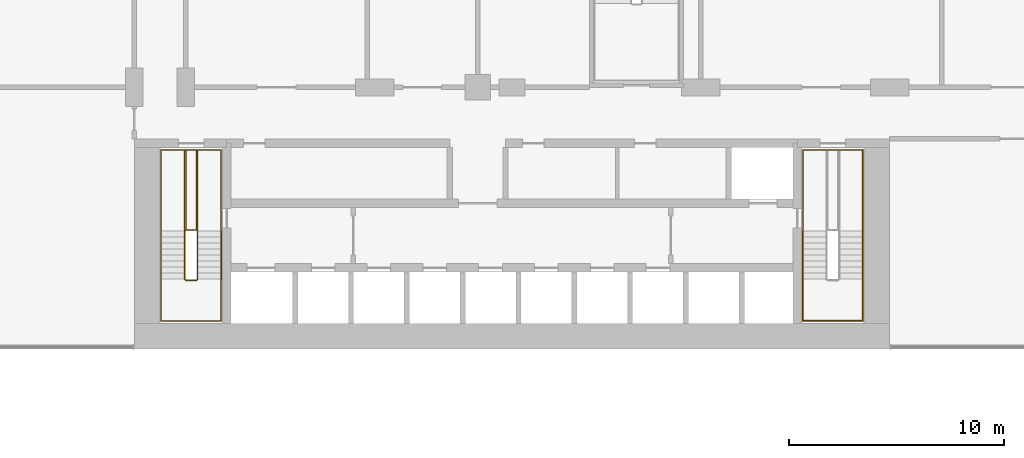
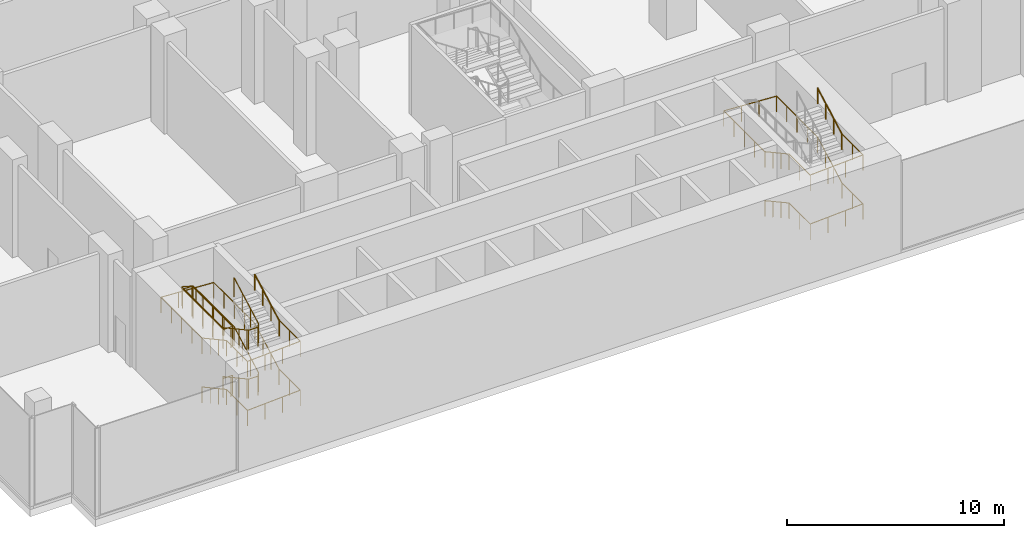
# One storey, part 25 of 30: 7 railings.
"""IFC4 building model written with IfcOpenShell, lengths in metres."""

from ifc_helpers import new_model, si_unit, direction, frame, origin, origin_2d, place, context, subcontext, project, spatial, circle, extrude, material, type_object, element, save


model = new_model("IFC4")

# Units and contexts
model_context = context("Model", 3, precision=1e-05, world=origin(), true_north=direction((0.0, 1.0)))
body_context = subcontext(model_context, "Body", "Model", "MODEL_VIEW")
ifc_project = project(units=[si_unit("LENGTHUNIT", "METRE"), si_unit("AREAUNIT", "SQUARE_METRE"), si_unit("VOLUMEUNIT", "CUBIC_METRE"), si_unit("PLANEANGLEUNIT", "RADIAN"), si_unit("MASSUNIT", "GRAM", prefix="KILO")], contexts=[model_context])

# Site, building, storey
site_placement = place(None, origin())
site = spatial("IfcSite", under=ifc_project, at=site_placement, CompositionType="ELEMENT")
building_placement = place(site_placement, origin())
building = spatial("IfcBuilding", under=site, at=building_placement, Name="Kemantara Hotel Tower", CompositionType="ELEMENT")
storey_placement = place(building_placement, frame((0.0, 0.0, 7.5)))
storey = spatial("IfcBuildingStorey", under=building, at=storey_placement, Name="L01", CompositionType="ELEMENT", Elevation=7.5)

# Railings
ifc_material = material(Name="Stainless steel balustrade", Category="steel")
railing_type_1 = type_object("IfcRailingType", Name="Stair guard 1100 mm", PredefinedType="GUARDRAIL", material=ifc_material)
railing_1_placement = place(storey_placement, frame((12.75, 5.5, 5.5)))
element("IfcRailing", 1, at=railing_1_placement, inside=storey, type_object=railing_type_1, Name="L01 ST1 stair guard 1", PredefinedType="GUARDRAIL", context=body_context, shape_type="SweptSolid", body=[
    extrude(circle(Radius=0.02392578125, at=origin_2d()), frame((0.0, 0.0, 1.076171875), z_axis=(0.0, -0.87783706319, -0.478959382924), x_axis=(1.0, 0.0, 0.0)), (0.0, 0.0, 1.0), 2.5517578125),
    extrude(circle(Radius=0.02392578125, at=origin_2d()), frame((0.0, -2.239990234375, -0.14599609375), z_axis=(-0.297155754911, -0.297155754911, -0.90741220768), x_axis=(0.707106781187, -0.707106781187, 0.0)), (0.0, 0.0, 1.0), 0.16845703125),
    extrude(circle(Radius=0.02392578125, at=origin_2d()), frame((-0.050048828125, -2.2900390625, -0.298828125), z_axis=(-1.0, 0.0, 0.0), x_axis=(0.0, -1.0, 0.0)), (0.0, 0.0, 1.0), 0.5),
    extrude(circle(Radius=0.02392578125, at=origin_2d()), frame((-0.550048828125, -2.2900390625, -0.298828125), z_axis=(-0.707106781187, 0.707106781187, 0.0), x_axis=(-0.707106781187, -0.707106781187, 0.0)), (0.0, 0.0, 1.0), 0.07080078125),
    extrude(circle(Radius=0.02392578125, at=origin_2d()), frame((-0.60009765625, -2.239990234375, -0.298828125), z_axis=(0.0, 0.87783706319, -0.478959382924), x_axis=(-1.0, 0.0, 0.0)), (0.0, 0.0, 1.0), 2.5517578125),
    extrude(circle(Radius=0.02392578125, at=origin_2d()), frame((-0.60009765625, 0.0, -1.52099609375), z_axis=(0.0, 1.0, 0.0), x_axis=(-1.0, 0.0, 0.0)), (0.0, 0.0, 1.0), 3.780029296875),
    extrude(circle(Radius=0.02392578125, at=origin_2d()), frame((-0.60009765625, 3.780029296875, -1.52099609375), z_axis=(0.963499526908, 0.0, -0.267710032776), x_axis=(0.0, 1.0, 0.0)), (0.0, 0.0, 1.0), 0.57080078125),
    extrude(circle(Radius=0.02392578125, at=origin_2d()), frame((-0.050048828125, 3.780029296875, -1.673828125), z_axis=(0.0, -1.0, 0.0), x_axis=(1.0, 0.0, 0.0)), (0.0, 0.0, 1.0), 3.72998046875),
    extrude(circle(Radius=0.02392578125, at=origin_2d()), frame((-0.050048828125, 0.050048828125, -1.673828125), z_axis=(-1.0, 0.0, 0.0), x_axis=(0.0, -1.0, 0.0)), (0.0, 0.0, 1.0), 0.5),
    extrude(circle(Radius=0.02392578125, at=origin_2d()), frame((-0.550048828125, 0.050048828125, -1.673828125), z_axis=(0.0, 1.0, 0.0), x_axis=(-1.0, 0.0, 0.0)), (0.0, 0.0, 1.0), 3.72998046875),
    extrude(circle(Radius=0.02392578125, at=origin_2d()), frame((-0.550048828125, 3.780029296875, -1.673828125), z_axis=(1.0, 0.0, 0.0), x_axis=(0.0, 1.0, 0.0)), (0.0, 0.0, 1.0), 0.550048828125),
    extrude(circle(Radius=0.02392578125, at=origin_2d()), frame((0.0, 3.780029296875, -1.673828125), z_axis=(0.0, -1.0, 0.0), x_axis=(1.0, 0.0, 0.0)), (0.0, 0.0, 1.0), 3.780029296875),
    extrude(circle(Radius=0.02392578125, at=origin_2d()), frame((0.0, 0.0, -1.673828125), z_axis=(0.0, -0.87783706319, -0.478959382924), x_axis=(1.0, 0.0, 0.0)), (0.0, 0.0, 1.0), 2.5517578125),
    extrude(circle(Radius=0.02392578125, at=origin_2d()), frame((0.0, -2.239990234375, -2.89599609375), z_axis=(-0.297155754911, -0.297155754911, -0.90741220768), x_axis=(0.707106781187, -0.707106781187, 0.0)), (0.0, 0.0, 1.0), 0.16845703125),
    extrude(circle(Radius=0.02392578125, at=origin_2d()), frame((-0.050048828125, -2.2900390625, -3.048828125), z_axis=(-1.0, 0.0, 0.0), x_axis=(0.0, -1.0, 0.0)), (0.0, 0.0, 1.0), 0.5),
    extrude(circle(Radius=0.02392578125, at=origin_2d()), frame((-0.550048828125, -2.2900390625, -3.048828125), z_axis=(-0.707106781187, 0.707106781187, 0.0), x_axis=(-0.707106781187, -0.707106781187, 0.0)), (0.0, 0.0, 1.0), 0.07080078125),
    extrude(circle(Radius=0.02392578125, at=origin_2d()), frame((-0.60009765625, -2.239990234375, -3.048828125), z_axis=(0.0, 0.87783706319, -0.478959382924), x_axis=(-1.0, 0.0, 0.0)), (0.0, 0.0, 1.0), 2.5517578125),
    extrude(circle(Radius=0.02392578125, at=origin_2d()), frame((-0.60009765625, 0.0, -4.27099609375), z_axis=(0.297155754911, 0.297155754911, -0.90741220768), x_axis=(-0.707106781187, 0.707106781187, 0.0)), (0.0, 0.0, 1.0), 0.16845703125),
    extrude(circle(Radius=0.02392578125, at=origin_2d()), frame((-0.550048828125, 0.050048828125, -4.423828125), z_axis=(1.0, 0.0, 0.0), x_axis=(0.0, 1.0, 0.0)), (0.0, 0.0, 1.0), 0.5),
    extrude(circle(Radius=0.02099609375, at=origin_2d()), origin(), (0.0, 0.0, 1.0), 1.052001953125),
    extrude(circle(Radius=0.02099609375, at=origin_2d()), frame((0.0, -0.74658203125, -0.407470703125)), (0.0, 0.0, 1.0), 1.052001953125),
    extrude(circle(Radius=0.02099609375, at=origin_2d()), frame((0.0, -1.493408203125, -0.814697265625)), (0.0, 0.0, 1.0), 1.052001953125),
    extrude(circle(Radius=0.02099609375, at=origin_2d()), frame((0.0, -2.239990234375, -1.22216796875)), (0.0, 0.0, 1.0), 1.052001953125),
    extrude(circle(Radius=0.02099609375, at=origin_2d()), frame((-0.050048828125, -2.2900390625, -1.375)), (0.0, 0.0, 1.0), 1.052001953125),
    extrude(circle(Radius=0.02099609375, at=origin_2d()), frame((-0.550048828125, -2.2900390625, -1.375)), (0.0, 0.0, 1.0), 1.052001953125),
    extrude(circle(Radius=0.02099609375, at=origin_2d()), frame((-0.60009765625, -2.239990234375, -1.375)), (0.0, 0.0, 1.0), 1.052001953125),
    extrude(circle(Radius=0.02099609375, at=origin_2d()), frame((-0.60009765625, -1.493408203125, -1.782470703125)), (0.0, 0.0, 1.0), 1.052001953125),
    extrude(circle(Radius=0.02099609375, at=origin_2d()), frame((-0.60009765625, -0.74658203125, -2.189697265625)), (0.0, 0.0, 1.0), 1.052001953125),
    extrude(circle(Radius=0.02099609375, at=origin_2d()), frame((-0.60009765625, 0.0, -2.59716796875)), (0.0, 0.0, 1.0), 1.052001953125),
    extrude(circle(Radius=0.02099609375, at=origin_2d()), frame((-0.60009765625, 0.945068359375, -2.59716796875)), (0.0, 0.0, 1.0), 1.052001953125),
    extrude(circle(Radius=0.02099609375, at=origin_2d()), frame((-0.60009765625, 1.89013671875, -2.59716796875)), (0.0, 0.0, 1.0), 1.052001953125),
    extrude(circle(Radius=0.02099609375, at=origin_2d()), frame((-0.60009765625, 2.8349609375, -2.59716796875)), (0.0, 0.0, 1.0), 1.052001953125),
    extrude(circle(Radius=0.02099609375, at=origin_2d()), frame((-0.60009765625, 3.780029296875, -2.59716796875)), (0.0, 0.0, 1.0), 1.052001953125),
    extrude(circle(Radius=0.02099609375, at=origin_2d()), frame((-0.050048828125, 3.780029296875, -2.75)), (0.0, 0.0, 1.0), 1.052001953125),
    extrude(circle(Radius=0.02099609375, at=origin_2d()), frame((-0.050048828125, 2.84765625, -2.75)), (0.0, 0.0, 1.0), 1.052001953125),
    extrude(circle(Radius=0.02099609375, at=origin_2d()), frame((-0.050048828125, 1.9150390625, -2.75)), (0.0, 0.0, 1.0), 1.052001953125),
    extrude(circle(Radius=0.02099609375, at=origin_2d()), frame((-0.050048828125, 0.982421875, -2.75)), (0.0, 0.0, 1.0), 1.052001953125),
    extrude(circle(Radius=0.02099609375, at=origin_2d()), frame((-0.050048828125, 0.050048828125, -2.75)), (0.0, 0.0, 1.0), 1.052001953125),
    extrude(circle(Radius=0.02099609375, at=origin_2d()), frame((-0.550048828125, 0.050048828125, -2.75)), (0.0, 0.0, 1.0), 1.052001953125),
    extrude(circle(Radius=0.02099609375, at=origin_2d()), frame((-0.550048828125, 0.982421875, -2.75)), (0.0, 0.0, 1.0), 1.052001953125),
    extrude(circle(Radius=0.02099609375, at=origin_2d()), frame((-0.550048828125, 1.9150390625, -2.75)), (0.0, 0.0, 1.0), 1.052001953125),
    extrude(circle(Radius=0.02099609375, at=origin_2d()), frame((-0.550048828125, 2.84765625, -2.75)), (0.0, 0.0, 1.0), 1.052001953125),
    extrude(circle(Radius=0.02099609375, at=origin_2d()), frame((-0.550048828125, 3.780029296875, -2.75)), (0.0, 0.0, 1.0), 1.052001953125),
    extrude(circle(Radius=0.02099609375, at=origin_2d()), frame((0.0, 3.780029296875, -2.75)), (0.0, 0.0, 1.0), 1.052001953125),
    extrude(circle(Radius=0.02099609375, at=origin_2d()), frame((0.0, 2.8349609375, -2.75)), (0.0, 0.0, 1.0), 1.052001953125),
    extrude(circle(Radius=0.02099609375, at=origin_2d()), frame((0.0, 1.89013671875, -2.75)), (0.0, 0.0, 1.0), 1.052001953125),
    extrude(circle(Radius=0.02099609375, at=origin_2d()), frame((0.0, 0.945068359375, -2.75)), (0.0, 0.0, 1.0), 1.052001953125),
    extrude(circle(Radius=0.02099609375, at=origin_2d()), frame((0.0, 0.0, -2.75)), (0.0, 0.0, 1.0), 1.052001953125),
    extrude(circle(Radius=0.02099609375, at=origin_2d()), frame((0.0, -0.74658203125, -3.157470703125)), (0.0, 0.0, 1.0), 1.052001953125),
    extrude(circle(Radius=0.02099609375, at=origin_2d()), frame((0.0, -1.493408203125, -3.564697265625)), (0.0, 0.0, 1.0), 1.052001953125),
    extrude(circle(Radius=0.02099609375, at=origin_2d()), frame((0.0, -2.239990234375, -3.97216796875)), (0.0, 0.0, 1.0), 1.052001953125),
    extrude(circle(Radius=0.02099609375, at=origin_2d()), frame((-0.050048828125, -2.2900390625, -4.125)), (0.0, 0.0, 1.0), 1.052001953125),
    extrude(circle(Radius=0.02099609375, at=origin_2d()), frame((-0.550048828125, -2.2900390625, -4.125)), (0.0, 0.0, 1.0), 1.052001953125),
    extrude(circle(Radius=0.02099609375, at=origin_2d()), frame((-0.60009765625, -2.239990234375, -4.125)), (0.0, 0.0, 1.0), 1.052001953125),
    extrude(circle(Radius=0.02099609375, at=origin_2d()), frame((-0.60009765625, -1.493408203125, -4.532470703125)), (0.0, 0.0, 1.0), 1.052001953125),
    extrude(circle(Radius=0.02099609375, at=origin_2d()), frame((-0.60009765625, -0.74658203125, -4.939697265625)), (0.0, 0.0, 1.0), 1.052001953125),
    extrude(circle(Radius=0.02099609375, at=origin_2d()), frame((-0.60009765625, 0.0, -5.34716796875)), (0.0, 0.0, 1.0), 1.052001953125),
    extrude(circle(Radius=0.02099609375, at=origin_2d()), frame((-0.550048828125, 0.050048828125, -5.5)), (0.0, 0.0, 1.0), 1.052001953125),
    extrude(circle(Radius=0.02099609375, at=origin_2d()), frame((-0.050048828125, 0.050048828125, -5.5)), (0.0, 0.0, 1.0), 1.052001953125),
])
railing_type_2 = type_object("IfcRailingType", Name="Stair handrail 900 mm", PredefinedType="HANDRAIL", material=ifc_material)
railing_2_placement = place(storey_placement, frame((11.050048828125, 5.5, 0.15283203125)))
element("IfcRailing", 2, at=railing_2_placement, inside=storey, type_object=railing_type_2, Name="L01 ST1 stair handrail 1", PredefinedType="HANDRAIL", context=body_context, shape_type="SweptSolid", body=[
    extrude(circle(Radius=0.02392578125, at=origin_2d()), frame((0.0, 0.0, 0.8759765625), z_axis=(0.0, -0.87783706319, 0.478959382924), x_axis=(1.0, 0.0, 0.0)), (0.0, 0.0, 1.0), 2.5517578125),
    extrude(circle(Radius=0.02392578125, at=origin_2d()), frame((0.0, -2.239990234375, 2.09814453125), z_axis=(0.0, -1.0, 0.0), x_axis=(1.0, 0.0, 0.0)), (0.0, 0.0, 1.0), 1.93994140625),
    extrude(circle(Radius=0.02392578125, at=origin_2d()), frame((0.0, -4.179931640625, 2.09814453125), z_axis=(0.998513727286, 0.0, 0.054500792857), x_axis=(0.0, 1.0, 0.0)), (0.0, 0.0, 1.0), 2.80419921875),
    extrude(circle(Radius=0.02392578125, at=origin_2d()), frame((2.800048828125, -4.179931640625, 2.2509765625), z_axis=(0.0, 1.0, 0.0), x_axis=(-1.0, 0.0, 0.0)), (0.0, 0.0, 1.0), 1.93994140625),
    extrude(circle(Radius=0.02392578125, at=origin_2d()), frame((2.800048828125, -2.239990234375, 2.2509765625), z_axis=(0.0, 0.87783706319, 0.478959382924), x_axis=(-1.0, 0.0, 0.0)), (0.0, 0.0, 1.0), 2.5517578125),
    extrude(circle(Radius=0.02099609375, at=origin_2d()), origin(), (0.0, 0.0, 1.0), 0.851806640625),
    extrude(circle(Radius=0.02099609375, at=origin_2d()), frame((0.0, -0.74658203125, 0.407470703125)), (0.0, 0.0, 1.0), 0.851806640625),
    extrude(circle(Radius=0.02099609375, at=origin_2d()), frame((0.0, -1.493408203125, 0.814697265625)), (0.0, 0.0, 1.0), 0.851806640625),
    extrude(circle(Radius=0.02099609375, at=origin_2d()), frame((0.0, -2.239990234375, 1.22216796875)), (0.0, 0.0, 1.0), 0.851806640625),
    extrude(circle(Radius=0.02099609375, at=origin_2d()), frame((0.0, -3.2099609375, 1.22216796875)), (0.0, 0.0, 1.0), 0.851806640625),
    extrude(circle(Radius=0.02099609375, at=origin_2d()), frame((0.0, -4.179931640625, 1.22216796875)), (0.0, 0.0, 1.0), 0.851806640625),
    extrude(circle(Radius=0.02099609375, at=origin_2d()), frame((0.933349609375, -4.179931640625, 1.273193359375)), (0.0, 0.0, 1.0), 0.851806640625),
    extrude(circle(Radius=0.02099609375, at=origin_2d()), frame((1.86669921875, -4.179931640625, 1.323974609375)), (0.0, 0.0, 1.0), 0.851806640625),
    extrude(circle(Radius=0.02099609375, at=origin_2d()), frame((2.800048828125, -4.179931640625, 1.375)), (0.0, 0.0, 1.0), 0.851806640625),
    extrude(circle(Radius=0.02099609375, at=origin_2d()), frame((2.800048828125, -3.2099609375, 1.375)), (0.0, 0.0, 1.0), 0.851806640625),
    extrude(circle(Radius=0.02099609375, at=origin_2d()), frame((2.800048828125, -2.239990234375, 1.375)), (0.0, 0.0, 1.0), 0.851806640625),
    extrude(circle(Radius=0.02099609375, at=origin_2d()), frame((2.800048828125, -1.493408203125, 1.782470703125)), (0.0, 0.0, 1.0), 0.851806640625),
    extrude(circle(Radius=0.02099609375, at=origin_2d()), frame((2.800048828125, -0.74658203125, 2.189697265625)), (0.0, 0.0, 1.0), 0.851806640625),
    extrude(circle(Radius=0.02099609375, at=origin_2d()), frame((2.800048828125, 0.0, 2.59716796875)), (0.0, 0.0, 1.0), 0.851806640625),
])
railing_3_placement = place(storey_placement, frame((13.85009765625, 5.5, 2.75)))
element("IfcRailing", 3, at=railing_3_placement, inside=storey, type_object=railing_type_2, Name="L01 ST1 stair handrail 2", PredefinedType="HANDRAIL", context=body_context, shape_type="SweptSolid", body=[
    extrude(circle(Radius=0.02392578125, at=origin_2d()), frame((0.0, 0.0, 0.8759765625), z_axis=(0.0, 1.0, 0.0), x_axis=(-1.0, 0.0, 0.0)), (0.0, 0.0, 1.0), 3.780029296875),
    extrude(circle(Radius=0.02392578125, at=origin_2d()), frame((0.0, 3.780029296875, 0.8759765625), z_axis=(-0.998513727286, 0.0, 0.054500792857), x_axis=(0.0, -1.0, 0.0)), (0.0, 0.0, 1.0), 2.80419921875),
    extrude(circle(Radius=0.02392578125, at=origin_2d()), frame((-2.800048828125, 3.780029296875, 1.02880859375), z_axis=(0.0, -1.0, 0.0), x_axis=(1.0, 0.0, 0.0)), (0.0, 0.0, 1.0), 3.780029296875),
    extrude(circle(Radius=0.02392578125, at=origin_2d()), frame((-2.800048828125, 0.0, 1.02880859375), z_axis=(0.0, -0.87783706319, 0.478959382924), x_axis=(1.0, 0.0, 0.0)), (0.0, 0.0, 1.0), 2.5517578125),
    extrude(circle(Radius=0.02392578125, at=origin_2d()), frame((-2.800048828125, -2.239990234375, 2.2509765625), z_axis=(0.0, -1.0, 0.0), x_axis=(1.0, 0.0, 0.0)), (0.0, 0.0, 1.0), 1.93994140625),
    extrude(circle(Radius=0.02392578125, at=origin_2d()), frame((-2.800048828125, -4.179931640625, 2.2509765625), z_axis=(0.998513727286, 0.0, 0.054500792857), x_axis=(0.0, 1.0, 0.0)), (0.0, 0.0, 1.0), 2.80419921875),
    extrude(circle(Radius=0.02392578125, at=origin_2d()), frame((0.0, -4.179931640625, 2.40380859375), z_axis=(0.0, 1.0, 0.0), x_axis=(-1.0, 0.0, 0.0)), (0.0, 0.0, 1.0), 1.93994140625),
    extrude(circle(Radius=0.02099609375, at=origin_2d()), origin(), (0.0, 0.0, 1.0), 0.851806640625),
    extrude(circle(Radius=0.02099609375, at=origin_2d()), frame((0.0, 0.945068359375, 0.0)), (0.0, 0.0, 1.0), 0.851806640625),
    extrude(circle(Radius=0.02099609375, at=origin_2d()), frame((0.0, 1.89013671875, 0.0)), (0.0, 0.0, 1.0), 0.851806640625),
    extrude(circle(Radius=0.02099609375, at=origin_2d()), frame((0.0, 2.8349609375, 0.0)), (0.0, 0.0, 1.0), 0.851806640625),
    extrude(circle(Radius=0.02099609375, at=origin_2d()), frame((0.0, 3.780029296875, 0.0)), (0.0, 0.0, 1.0), 0.851806640625),
    extrude(circle(Radius=0.02099609375, at=origin_2d()), frame((-0.933349609375, 3.780029296875, 0.051025390625)), (0.0, 0.0, 1.0), 0.851806640625),
    extrude(circle(Radius=0.02099609375, at=origin_2d()), frame((-1.86669921875, 3.780029296875, 0.101806640625)), (0.0, 0.0, 1.0), 0.851806640625),
    extrude(circle(Radius=0.02099609375, at=origin_2d()), frame((-2.800048828125, 3.780029296875, 0.15283203125)), (0.0, 0.0, 1.0), 0.851806640625),
    extrude(circle(Radius=0.02099609375, at=origin_2d()), frame((-2.800048828125, 2.8349609375, 0.15283203125)), (0.0, 0.0, 1.0), 0.851806640625),
    extrude(circle(Radius=0.02099609375, at=origin_2d()), frame((-2.800048828125, 1.89013671875, 0.15283203125)), (0.0, 0.0, 1.0), 0.851806640625),
    extrude(circle(Radius=0.02099609375, at=origin_2d()), frame((-2.800048828125, 0.945068359375, 0.15283203125)), (0.0, 0.0, 1.0), 0.851806640625),
    extrude(circle(Radius=0.02099609375, at=origin_2d()), frame((-2.800048828125, 0.0, 0.15283203125)), (0.0, 0.0, 1.0), 0.851806640625),
    extrude(circle(Radius=0.02099609375, at=origin_2d()), frame((-2.800048828125, -0.74658203125, 0.560302734375)), (0.0, 0.0, 1.0), 0.851806640625),
    extrude(circle(Radius=0.02099609375, at=origin_2d()), frame((-2.800048828125, -1.493408203125, 0.967529296875)), (0.0, 0.0, 1.0), 0.851806640625),
    extrude(circle(Radius=0.02099609375, at=origin_2d()), frame((-2.800048828125, -2.239990234375, 1.375)), (0.0, 0.0, 1.0), 0.851806640625),
    extrude(circle(Radius=0.02099609375, at=origin_2d()), frame((-2.800048828125, -3.2099609375, 1.375)), (0.0, 0.0, 1.0), 0.851806640625),
    extrude(circle(Radius=0.02099609375, at=origin_2d()), frame((-2.800048828125, -4.179931640625, 1.375)), (0.0, 0.0, 1.0), 0.851806640625),
    extrude(circle(Radius=0.02099609375, at=origin_2d()), frame((-1.86669921875, -4.179931640625, 1.426025390625)), (0.0, 0.0, 1.0), 0.851806640625),
    extrude(circle(Radius=0.02099609375, at=origin_2d()), frame((-0.933349609375, -4.179931640625, 1.476806640625)), (0.0, 0.0, 1.0), 0.851806640625),
    extrude(circle(Radius=0.02099609375, at=origin_2d()), frame((0.0, -4.179931640625, 1.52783203125)), (0.0, 0.0, 1.0), 0.851806640625),
    extrude(circle(Radius=0.02099609375, at=origin_2d()), frame((0.0, -3.2099609375, 1.52783203125)), (0.0, 0.0, 1.0), 0.851806640625),
    extrude(circle(Radius=0.02099609375, at=origin_2d()), frame((0.0, -2.239990234375, 1.52783203125)), (0.0, 0.0, 1.0), 0.851806640625),
])
railing_4_placement = place(storey_placement, frame((13.85009765625, 3.260009765625, 4.27783203125)))
element("IfcRailing", 4, at=railing_4_placement, inside=storey, type_object=railing_type_2, Name="L01 ST1 stair handrail 3", PredefinedType="HANDRAIL", context=body_context, shape_type="SweptSolid", body=[
    extrude(circle(Radius=0.02392578125, at=origin_2d()), frame((0.0, 0.0, 0.8759765625), z_axis=(0.0, 0.87783706319, 0.478959382924), x_axis=(-1.0, 0.0, 0.0)), (0.0, 0.0, 1.0), 2.5517578125),
    extrude(circle(Radius=0.02099609375, at=origin_2d()), origin(), (0.0, 0.0, 1.0), 0.851806640625),
    extrude(circle(Radius=0.02099609375, at=origin_2d()), frame((0.0, 0.74658203125, 0.407470703125)), (0.0, 0.0, 1.0), 0.851806640625),
    extrude(circle(Radius=0.02099609375, at=origin_2d()), frame((0.0, 1.493408203125, 0.814697265625)), (0.0, 0.0, 1.0), 0.851806640625),
    extrude(circle(Radius=0.02099609375, at=origin_2d()), frame((0.0, 2.239990234375, 1.22216796875)), (0.0, 0.0, 1.0), 0.851806640625),
])
railing_5_placement = place(storey_placement, frame((40.949951171875, 5.5, 0.15283203125)))
element("IfcRailing", 5, at=railing_5_placement, inside=storey, type_object=railing_type_2, Name="L01 ST2 stair handrail 1", PredefinedType="HANDRAIL", context=body_context, shape_type="SweptSolid", body=[
    extrude(circle(Radius=0.02392578125, at=origin_2d()), frame((0.0, 0.0, 0.8759765625), z_axis=(0.0, -0.87783706319, 0.478959382924), x_axis=(1.0, 0.0, 0.0)), (0.0, 0.0, 1.0), 2.5517578125),
    extrude(circle(Radius=0.02392578125, at=origin_2d()), frame((0.0, -2.239990234375, 2.09814453125), z_axis=(0.0, -1.0, 0.0), x_axis=(1.0, 0.0, 0.0)), (0.0, 0.0, 1.0), 1.93994140625),
    extrude(circle(Radius=0.02392578125, at=origin_2d()), frame((0.0, -4.179931640625, 2.09814453125), z_axis=(0.998513727286, 0.0, 0.054500792857), x_axis=(0.0, 1.0, 0.0)), (0.0, 0.0, 1.0), 2.80419921875),
    extrude(circle(Radius=0.02392578125, at=origin_2d()), frame((2.800048828125, -4.179931640625, 2.2509765625), z_axis=(0.0, 1.0, 0.0), x_axis=(-1.0, 0.0, 0.0)), (0.0, 0.0, 1.0), 1.93994140625),
    extrude(circle(Radius=0.02392578125, at=origin_2d()), frame((2.800048828125, -2.239990234375, 2.2509765625), z_axis=(0.0, 0.87783706319, 0.478959382924), x_axis=(-1.0, 0.0, 0.0)), (0.0, 0.0, 1.0), 2.5517578125),
    extrude(circle(Radius=0.02392578125, at=origin_2d()), frame((2.800048828125, 0.0, 3.47314453125), z_axis=(0.0, 1.0, 0.0), x_axis=(-1.0, 0.0, 0.0)), (0.0, 0.0, 1.0), 3.780029296875),
    extrude(circle(Radius=0.02099609375, at=origin_2d()), origin(), (0.0, 0.0, 1.0), 0.851806640625),
    extrude(circle(Radius=0.02099609375, at=origin_2d()), frame((0.0, -0.74658203125, 0.407470703125)), (0.0, 0.0, 1.0), 0.851806640625),
    extrude(circle(Radius=0.02099609375, at=origin_2d()), frame((0.0, -1.493408203125, 0.814697265625)), (0.0, 0.0, 1.0), 0.851806640625),
    extrude(circle(Radius=0.02099609375, at=origin_2d()), frame((0.0, -2.239990234375, 1.22216796875)), (0.0, 0.0, 1.0), 0.851806640625),
    extrude(circle(Radius=0.02099609375, at=origin_2d()), frame((0.0, -3.2099609375, 1.22216796875)), (0.0, 0.0, 1.0), 0.851806640625),
    extrude(circle(Radius=0.02099609375, at=origin_2d()), frame((0.0, -4.179931640625, 1.22216796875)), (0.0, 0.0, 1.0), 0.851806640625),
    extrude(circle(Radius=0.02099609375, at=origin_2d()), frame((0.933349609375, -4.179931640625, 1.273193359375)), (0.0, 0.0, 1.0), 0.851806640625),
    extrude(circle(Radius=0.02099609375, at=origin_2d()), frame((1.86669921875, -4.179931640625, 1.323974609375)), (0.0, 0.0, 1.0), 0.851806640625),
    extrude(circle(Radius=0.02099609375, at=origin_2d()), frame((2.800048828125, -4.179931640625, 1.375)), (0.0, 0.0, 1.0), 0.851806640625),
    extrude(circle(Radius=0.02099609375, at=origin_2d()), frame((2.800048828125, -3.2099609375, 1.375)), (0.0, 0.0, 1.0), 0.851806640625),
    extrude(circle(Radius=0.02099609375, at=origin_2d()), frame((2.800048828125, -2.239990234375, 1.375)), (0.0, 0.0, 1.0), 0.851806640625),
    extrude(circle(Radius=0.02099609375, at=origin_2d()), frame((2.800048828125, -1.493408203125, 1.782470703125)), (0.0, 0.0, 1.0), 0.851806640625),
    extrude(circle(Radius=0.02099609375, at=origin_2d()), frame((2.800048828125, -0.74658203125, 2.189697265625)), (0.0, 0.0, 1.0), 0.851806640625),
    extrude(circle(Radius=0.02099609375, at=origin_2d()), frame((2.800048828125, 0.0, 2.59716796875)), (0.0, 0.0, 1.0), 0.851806640625),
    extrude(circle(Radius=0.02099609375, at=origin_2d()), frame((2.800048828125, 0.945068359375, 2.59716796875)), (0.0, 0.0, 1.0), 0.851806640625),
    extrude(circle(Radius=0.02099609375, at=origin_2d()), frame((2.800048828125, 1.89013671875, 2.59716796875)), (0.0, 0.0, 1.0), 0.851806640625),
    extrude(circle(Radius=0.02099609375, at=origin_2d()), frame((2.800048828125, 2.8349609375, 2.59716796875)), (0.0, 0.0, 1.0), 0.851806640625),
    extrude(circle(Radius=0.02099609375, at=origin_2d()), frame((2.800048828125, 3.780029296875, 2.59716796875)), (0.0, 0.0, 1.0), 0.851806640625),
])
railing_6_placement = place(storey_placement, frame((43.75, 9.280029296875, 2.75)))
element("IfcRailing", 6, at=railing_6_placement, inside=storey, type_object=railing_type_2, Name="L01 ST2 stair handrail 2", PredefinedType="HANDRAIL", context=body_context, shape_type="SweptSolid", body=[
    extrude(circle(Radius=0.02392578125, at=origin_2d()), frame((0.0, 0.0, 0.8759765625), z_axis=(-0.998513727286, 0.0, 0.054500792857), x_axis=(0.0, -1.0, 0.0)), (0.0, 0.0, 1.0), 2.80419921875),
    extrude(circle(Radius=0.02392578125, at=origin_2d()), frame((-2.800048828125, 0.0, 1.02880859375), z_axis=(0.0, -1.0, 0.0), x_axis=(1.0, 0.0, 0.0)), (0.0, 0.0, 1.0), 3.780029296875),
    extrude(circle(Radius=0.02392578125, at=origin_2d()), frame((-2.800048828125, -3.780029296875, 1.02880859375), z_axis=(0.0, -0.87783706319, 0.478959382924), x_axis=(1.0, 0.0, 0.0)), (0.0, 0.0, 1.0), 2.5517578125),
    extrude(circle(Radius=0.02392578125, at=origin_2d()), frame((-2.800048828125, -6.02001953125, 2.2509765625), z_axis=(0.0, -1.0, 0.0), x_axis=(1.0, 0.0, 0.0)), (0.0, 0.0, 1.0), 1.93994140625),
    extrude(circle(Radius=0.02392578125, at=origin_2d()), frame((-2.800048828125, -7.9599609375, 2.2509765625), z_axis=(0.998513727286, 0.0, 0.054500792857), x_axis=(0.0, 1.0, 0.0)), (0.0, 0.0, 1.0), 2.80419921875),
    extrude(circle(Radius=0.02392578125, at=origin_2d()), frame((0.0, -7.9599609375, 2.40380859375), z_axis=(0.0, 1.0, 0.0), x_axis=(-1.0, 0.0, 0.0)), (0.0, 0.0, 1.0), 1.93994140625),
    extrude(circle(Radius=0.02099609375, at=origin_2d()), origin(), (0.0, 0.0, 1.0), 0.851806640625),
    extrude(circle(Radius=0.02099609375, at=origin_2d()), frame((-0.933349609375, 0.0, 0.051025390625)), (0.0, 0.0, 1.0), 0.851806640625),
    extrude(circle(Radius=0.02099609375, at=origin_2d()), frame((-1.86669921875, 0.0, 0.101806640625)), (0.0, 0.0, 1.0), 0.851806640625),
    extrude(circle(Radius=0.02099609375, at=origin_2d()), frame((-2.800048828125, 0.0, 0.15283203125)), (0.0, 0.0, 1.0), 0.851806640625),
    extrude(circle(Radius=0.02099609375, at=origin_2d()), frame((-2.800048828125, -0.945068359375, 0.15283203125)), (0.0, 0.0, 1.0), 0.851806640625),
    extrude(circle(Radius=0.02099609375, at=origin_2d()), frame((-2.800048828125, -1.89013671875, 0.15283203125)), (0.0, 0.0, 1.0), 0.851806640625),
    extrude(circle(Radius=0.02099609375, at=origin_2d()), frame((-2.800048828125, -2.8349609375, 0.15283203125)), (0.0, 0.0, 1.0), 0.851806640625),
    extrude(circle(Radius=0.02099609375, at=origin_2d()), frame((-2.800048828125, -3.780029296875, 0.15283203125)), (0.0, 0.0, 1.0), 0.851806640625),
    extrude(circle(Radius=0.02099609375, at=origin_2d()), frame((-2.800048828125, -4.526611328125, 0.560302734375)), (0.0, 0.0, 1.0), 0.851806640625),
    extrude(circle(Radius=0.02099609375, at=origin_2d()), frame((-2.800048828125, -5.2734375, 0.967529296875)), (0.0, 0.0, 1.0), 0.851806640625),
    extrude(circle(Radius=0.02099609375, at=origin_2d()), frame((-2.800048828125, -6.02001953125, 1.375)), (0.0, 0.0, 1.0), 0.851806640625),
    extrude(circle(Radius=0.02099609375, at=origin_2d()), frame((-2.800048828125, -6.989990234375, 1.375)), (0.0, 0.0, 1.0), 0.851806640625),
    extrude(circle(Radius=0.02099609375, at=origin_2d()), frame((-2.800048828125, -7.9599609375, 1.375)), (0.0, 0.0, 1.0), 0.851806640625),
    extrude(circle(Radius=0.02099609375, at=origin_2d()), frame((-1.86669921875, -7.9599609375, 1.426025390625)), (0.0, 0.0, 1.0), 0.851806640625),
    extrude(circle(Radius=0.02099609375, at=origin_2d()), frame((-0.933349609375, -7.9599609375, 1.476806640625)), (0.0, 0.0, 1.0), 0.851806640625),
    extrude(circle(Radius=0.02099609375, at=origin_2d()), frame((0.0, -7.9599609375, 1.52783203125)), (0.0, 0.0, 1.0), 0.851806640625),
    extrude(circle(Radius=0.02099609375, at=origin_2d()), frame((0.0, -6.989990234375, 1.52783203125)), (0.0, 0.0, 1.0), 0.851806640625),
    extrude(circle(Radius=0.02099609375, at=origin_2d()), frame((0.0, -6.02001953125, 1.52783203125)), (0.0, 0.0, 1.0), 0.851806640625),
])
railing_7_placement = place(storey_placement, frame((43.75, 3.260009765625, 4.27783203125)))
element("IfcRailing", 7, at=railing_7_placement, inside=storey, type_object=railing_type_2, Name="L01 ST2 stair handrail 3", PredefinedType="HANDRAIL", context=body_context, shape_type="SweptSolid", body=[
    extrude(circle(Radius=0.02392578125, at=origin_2d()), frame((0.0, 0.0, 0.8759765625), z_axis=(0.0, 0.87783706319, 0.478959382924), x_axis=(-1.0, 0.0, 0.0)), (0.0, 0.0, 1.0), 2.5517578125),
    extrude(circle(Radius=0.02099609375, at=origin_2d()), origin(), (0.0, 0.0, 1.0), 0.851806640625),
    extrude(circle(Radius=0.02099609375, at=origin_2d()), frame((0.0, 0.74658203125, 0.407470703125)), (0.0, 0.0, 1.0), 0.851806640625),
    extrude(circle(Radius=0.02099609375, at=origin_2d()), frame((0.0, 1.493408203125, 0.814697265625)), (0.0, 0.0, 1.0), 0.851806640625),
    extrude(circle(Radius=0.02099609375, at=origin_2d()), frame((0.0, 2.239990234375, 1.22216796875)), (0.0, 0.0, 1.0), 0.851806640625),
])

save(model, "model.ifc")
